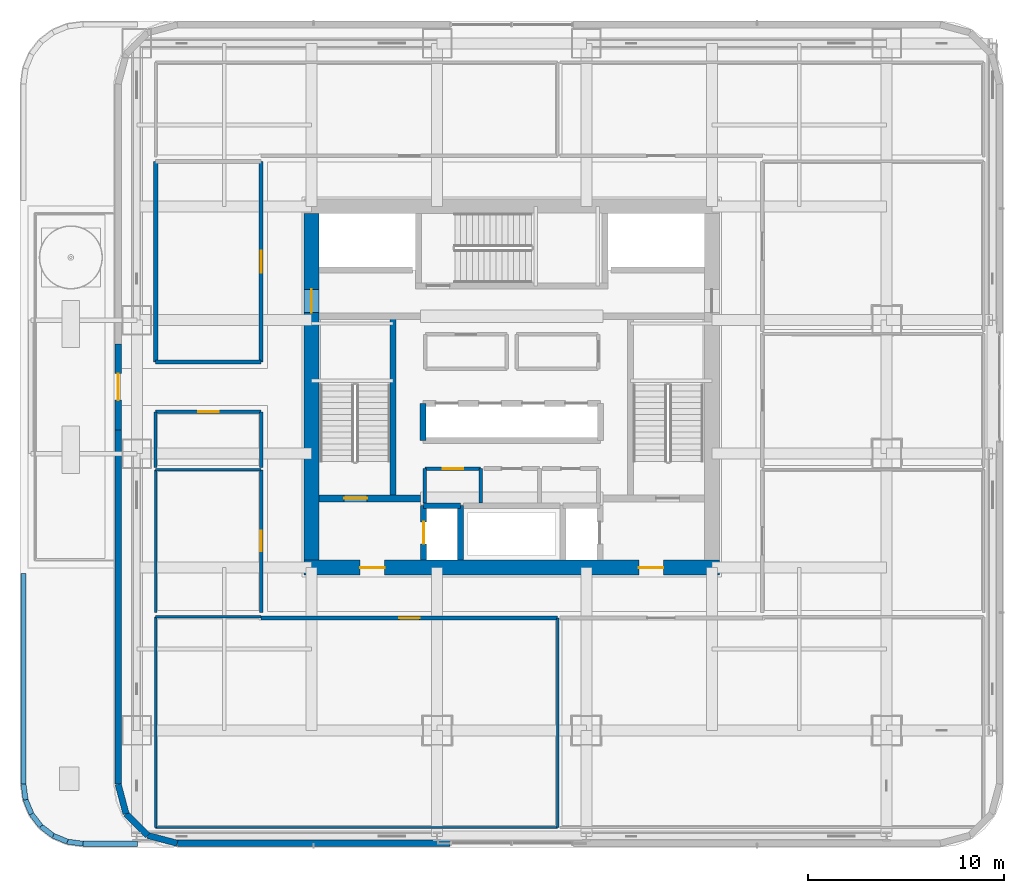
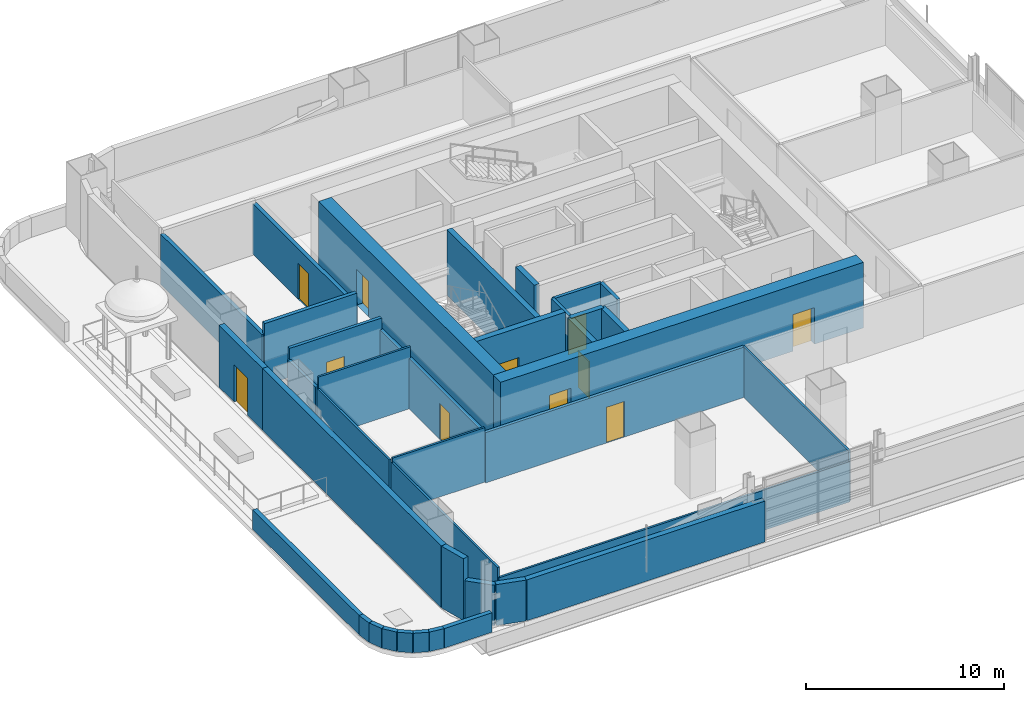
# One storey, part 11 of 27: 39 walls, 11 doors, 11 openings.
"""IFC4 building model written with IfcOpenShell, lengths in metres."""

from ifc_helpers import new_model, si_unit, direction, frame, frame_2d, origin, place, context, subcontext, project, spatial, rectangle, extrude, material, layer, layer_set, type_object, element, fill, save


model = new_model("IFC4")

# Units and contexts
model_context = context("Model", 3, precision=1e-05, world=origin(), true_north=direction((0.0, 1.0)))
body_context = subcontext(model_context, "Body", "Model", "MODEL_VIEW")
ifc_project = project(units=[si_unit("LENGTHUNIT", "METRE"), si_unit("AREAUNIT", "SQUARE_METRE"), si_unit("VOLUMEUNIT", "CUBIC_METRE"), si_unit("PLANEANGLEUNIT", "RADIAN"), si_unit("MASSUNIT", "GRAM", prefix="KILO")], contexts=[model_context])

# Site, building, storey
site_placement = place(None, origin())
site = spatial("IfcSite", under=ifc_project, at=site_placement, CompositionType="ELEMENT")
building_placement = place(site_placement, origin())
building = spatial("IfcBuilding", under=site, at=building_placement, Name="Punatoya Terracotta Tower", CompositionType="ELEMENT")
storey_placement = place(building_placement, frame((0.0, 0.0, 60.60009765625)))
storey = spatial("IfcBuildingStorey", under=building, at=storey_placement, Name="L13", CompositionType="ELEMENT", Elevation=60.60009765625)

# Wall, openings, doors
ifc_material_1 = material(Name="Concrete C60/75", Category="concrete")
ifc_layer_1 = layer(ifc_material_1, 0.75)
ifc_layer_set_1 = layer_set([ifc_layer_1], Name="Concrete C60/75")
wall_type_1 = type_object("IfcWallType", Name="WL-COR-750", PredefinedType="SHEAR", material=ifc_layer_set_1)
wall_1_placement = place(storey_placement, frame((10.574951171875, -9.199951171875, 0.0), z_axis=(0.0, 0.0, 1.0), x_axis=(-1.0, 0.0, 0.0)))
wall_1 = element("IfcWall", 1, at=wall_1_placement, inside=storey, type_object=wall_type_1, Name="L13 Core Shear Wall S", PredefinedType="SHEAR", context=body_context, shape_type="SweptSolid", body=[
    extrude(rectangle(XDim=21.14990234375, YDim=0.75, at=frame_2d((10.574951171875, 0.0))), origin(), (0.0, 0.0, 1.0), 4.0498046875),
])
opening_1_placement = place(wall_1_placement, frame((2.85009765625, 0.0, 0.0)))
opening_1 = element("IfcOpeningElement", 2, at=opening_1_placement, cuts=wall_1, Name="Opening FD-L1", PredefinedType="OPENING", context=body_context, shape_type="SweptSolid", body=[
    extrude(rectangle(XDim=1.25, YDim=2.25, at=frame_2d((0.625, 1.125))), frame((0.0, 0.385009765625, 0.0), z_axis=(0.0, -1.0, 0.0), x_axis=(1.0, 0.0, 0.0)), (0.0, 0.0, 1.0), 0.77001953125),
])
opening_2_placement = place(wall_1_placement, frame((17.050048828125, 0.0, 0.0)))
opening_2 = element("IfcOpeningElement", 3, at=opening_2_placement, cuts=wall_1, Name="Opening FD-L1", PredefinedType="OPENING", context=body_context, shape_type="SweptSolid", body=[
    extrude(rectangle(XDim=1.25, YDim=2.25, at=frame_2d((0.625, 1.125))), frame((0.0, 0.385009765625, 0.0), z_axis=(0.0, -1.0, 0.0), x_axis=(1.0, 0.0, 0.0)), (0.0, 0.0, 1.0), 0.77001953125),
])
ifc_material_2 = material(Name="Galvanised Steel Smokeproof Fire Door", Category="steel")
door_type_1 = type_object("IfcDoorType", Name="DR-FFL-1250", OperationType="NOTDEFINED", PredefinedType="DOOR", material=ifc_material_2)
door_1_placement = place(opening_1_placement, origin())
door_1 = element("IfcDoor", 4, at=door_1_placement, inside=storey, type_object=door_type_1, Name="L13 East Firefighting Lobby Corridor Fire Door", OperationType="SINGLE_SWING_LEFT", OverallHeight=2.25, OverallWidth=1.25, PredefinedType="DOOR", context=body_context, shape_type="SweptSolid", body=[
    extrude(rectangle(XDim=1.25, YDim=2.25, at=frame_2d((0.625, 1.125))), frame((0.0, 0.02490234375, 0.0), z_axis=(0.0, -1.0, 0.0), x_axis=(1.0, 0.0, 0.0)), (0.0, 0.0, 1.0), 0.050048828125),
])
fill(opening_1, door_1)
door_2_placement = place(opening_2_placement, origin())
door_2 = element("IfcDoor", 5, at=door_2_placement, inside=storey, type_object=door_type_1, Name="L13 West Firefighting Lobby Corridor Fire Door", OperationType="SINGLE_SWING_RIGHT", OverallHeight=2.25, OverallWidth=1.25, PredefinedType="DOOR", context=body_context, shape_type="SweptSolid", body=[
    extrude(rectangle(XDim=1.25, YDim=2.25, at=frame_2d((0.625, 1.125))), frame((0.0, 0.02490234375, 0.0), z_axis=(0.0, -1.0, 0.0), x_axis=(1.0, 0.0, 0.0)), (0.0, 0.0, 1.0), 0.050048828125),
])
fill(opening_2, door_2)

# Wall, opening, door
wall_2_placement = place(storey_placement, frame((-10.199951171875, -8.824951171875, 0.0), z_axis=(0.0, 0.0, 1.0), x_axis=(0.0, 1.0, 0.0)))
wall_2 = element("IfcWall", 6, at=wall_2_placement, inside=storey, type_object=wall_type_1, Name="L13 Core Shear Wall W", PredefinedType="SHEAR", context=body_context, shape_type="SweptSolid", body=[
    extrude(rectangle(XDim=17.64990234375, YDim=0.75, at=frame_2d((8.824951171875, 0.0))), origin(), (0.0, 0.0, 1.0), 4.0498046875),
])
opening_3_placement = place(wall_2_placement, frame((12.614990234375, 0.0, 0.0)))
opening_3 = element("IfcOpeningElement", 7, at=opening_3_placement, cuts=wall_2, Name="Opening SD-01", PredefinedType="OPENING", context=body_context, shape_type="SweptSolid", body=[
    extrude(rectangle(XDim=1.179931640625, YDim=2.199951171875, at=frame_2d((0.58984375, 1.10009765625))), frame((0.0, 0.385009765625, 0.0), z_axis=(0.0, -1.0, 0.0), x_axis=(1.0, 0.0, 0.0)), (0.0, 0.0, 1.0), 0.77001953125),
])
ifc_material_3 = material(Name="Galvanised Steel Pressurized Stair Fire Door", Category="steel")
door_type_2 = type_object("IfcDoorType", Name="DR-STR-1180", OperationType="NOTDEFINED", PredefinedType="DOOR", material=ifc_material_3)
door_3_placement = place(opening_3_placement, origin())
door_3 = element("IfcDoor", 8, at=door_3_placement, inside=storey, type_object=door_type_2, Name="L13 Central Lift Lobby West Fire Door", OperationType="SINGLE_SWING_LEFT", OverallHeight=2.199951171875, OverallWidth=1.179931640625, PredefinedType="DOOR", context=body_context, shape_type="SweptSolid", body=[
    extrude(rectangle(XDim=1.179931640625, YDim=2.199951171875, at=frame_2d((0.58984375, 1.10009765625))), frame((0.0, 0.02490234375, 0.0), z_axis=(0.0, -1.0, 0.0), x_axis=(1.0, 0.0, 0.0)), (0.0, 0.0, 1.0), 0.050048828125),
])
fill(opening_3, door_3)

# Wall
ifc_material_4 = material(Name="Gypsum Fireboard + Steel Stud", Category="steel")
ifc_layer_2 = layer(ifc_material_4, 0.179931640625)
ifc_layer_set_2 = layer_set([ifc_layer_2], Name="Gypsum Fireboard + Steel Stud")
wall_type_2 = type_object("IfcWallType", Name="WL-CORR-180", PredefinedType="PARTITIONING", material=ifc_layer_set_2)
wall_3_placement = place(storey_placement, frame((-1.580078125, -5.89990234375, 0.0), z_axis=(0.0, 0.0, 1.0), x_axis=(0.0, 1.0, 0.0)))
element("IfcWall", 9, at=wall_3_placement, inside=storey, type_object=wall_type_2, Name="L13 Core Quiet Wellness Room Partition 01", PredefinedType="PARTITIONING", context=body_context, shape_type="SweptSolid", body=[
    extrude(rectangle(XDim=1.739990234375, YDim=0.179931640625, at=frame_2d((0.8701171875, 0.0))), origin(), (0.0, 0.0, 1.0), 3.809814453125),
])

# Wall, opening, door
wall_4_placement = place(storey_placement, frame((-1.580078125, -4.159912109375, 0.0), z_axis=(0.0, 0.0, 1.0), x_axis=(-1.0, 0.0, 0.0)))
wall_4 = element("IfcWall", 10, at=wall_4_placement, inside=storey, type_object=wall_type_2, Name="L13 Core Quiet Wellness Room Partition 02", PredefinedType="PARTITIONING", context=body_context, shape_type="SweptSolid", body=[
    extrude(rectangle(XDim=2.83984375, YDim=0.179931640625, at=frame_2d((1.419921875, 0.0))), origin(), (0.0, 0.0, 1.0), 3.809814453125),
])
opening_4_placement = place(wall_4_placement, frame((0.89501953125, 0.0, 0.0)))
opening_4 = element("IfcOpeningElement", 11, at=opening_4_placement, cuts=wall_4, Name="Opening OD-01", PredefinedType="OPENING", context=body_context, shape_type="SweptSolid", body=[
    extrude(rectangle(XDim=1.050048828125, YDim=2.199951171875, at=frame_2d((0.52490234375, 1.10009765625))), frame((0.0, 0.099853515625, 0.0), z_axis=(0.0, -1.0, 0.0), x_axis=(1.0, 0.0, 0.0)), (0.0, 0.0, 1.0), 0.199951171875),
])
ifc_material_5 = material(Name="Bengal Teak Solid-Core Leaf")
door_type_3 = type_object("IfcDoorType", Name="DR-OFF-1050", OperationType="NOTDEFINED", PredefinedType="DOOR", material=ifc_material_5)
door_4_placement = place(opening_4_placement, origin())
door_4 = element("IfcDoor", 12, at=door_4_placement, inside=storey, type_object=door_type_3, Name="L13 Quiet Wellness Room Door", OperationType="SINGLE_SWING_RIGHT", OverallHeight=2.199951171875, OverallWidth=1.050048828125, PredefinedType="DOOR", context=body_context, shape_type="SweptSolid", body=[
    extrude(rectangle(XDim=1.050048828125, YDim=2.199951171875, at=frame_2d((0.52490234375, 1.10009765625))), frame((0.0, 0.02490234375, 0.0), z_axis=(0.0, -1.0, 0.0), x_axis=(1.0, 0.0, 0.0)), (0.0, 0.0, 1.0), 0.050048828125),
])
fill(opening_4, door_4)

# Wall
wall_5_placement = place(storey_placement, frame((-4.419921875, -4.159912109375, 0.0), z_axis=(0.0, 0.0, 1.0), x_axis=(0.0, -1.0, 0.0)))
element("IfcWall", 13, at=wall_5_placement, inside=storey, type_object=wall_type_2, Name="L13 Core Quiet Wellness Room Partition 03", PredefinedType="PARTITIONING", context=body_context, shape_type="SweptSolid", body=[
    extrude(rectangle(XDim=1.739990234375, YDim=0.179931640625, at=frame_2d((0.8701171875, 0.0))), origin(), (0.0, 0.0, 1.0), 3.809814453125),
])

# Wall, opening, door
wall_6_placement = place(storey_placement, frame((-12.77001953125, -11.77001953125, 0.0), z_axis=(0.0, 0.0, 1.0), x_axis=(1.0, 0.0, 0.0)))
wall_6 = element("IfcWall", 14, at=wall_6_placement, inside=storey, type_object=wall_type_2, Name="L13 Client Media Salon Partition 18", PredefinedType="PARTITIONING", context=body_context, shape_type="SweptSolid", body=[
    extrude(rectangle(XDim=15.110107421875, YDim=0.179931640625, at=frame_2d((7.55517578125, 0.0))), origin(), (0.0, 0.0, 1.0), 3.10400390625),
])
opening_5_placement = place(wall_6_placement, frame((7.030029296875, 0.0, 0.0)))
opening_5 = element("IfcOpeningElement", 15, at=opening_5_placement, cuts=wall_6, Name="Opening OD-01", PredefinedType="OPENING", context=body_context, shape_type="SweptSolid", body=[
    extrude(rectangle(XDim=1.050048828125, YDim=2.199951171875, at=frame_2d((0.52490234375, 1.10009765625))), frame((0.0, 0.099853515625, 0.0), z_axis=(0.0, -1.0, 0.0), x_axis=(1.0, 0.0, 0.0)), (0.0, 0.0, 1.0), 0.199951171875),
])
door_5_placement = place(opening_5_placement, origin())
door_5 = element("IfcDoor", 16, at=door_5_placement, inside=storey, type_object=door_type_3, Name="L13 Client Media Salon Door", OperationType="SINGLE_SWING_LEFT", OverallHeight=2.199951171875, OverallWidth=1.050048828125, PredefinedType="DOOR", context=body_context, shape_type="SweptSolid", body=[
    extrude(rectangle(XDim=1.050048828125, YDim=2.199951171875, at=frame_2d((0.52490234375, 1.10009765625))), frame((0.0, 0.02490234375, 0.0), z_axis=(0.0, -1.0, 0.0), x_axis=(1.0, 0.0, 0.0)), (0.0, 0.0, 1.0), 0.050048828125),
])
fill(opening_5, door_5)

wall_7_placement = place(storey_placement, frame((-12.77001953125, -4.218017578125, 0.0), z_axis=(0.0, 0.0, 1.0), x_axis=(0.0, -1.0, 0.0)))
wall_7 = element("IfcWall", 17, at=wall_7_placement, inside=storey, type_object=wall_type_2, Name="L13 Graphic Design Workplace Partition 26", PredefinedType="PARTITIONING", context=body_context, shape_type="SweptSolid", body=[
    extrude(rectangle(XDim=7.27197265625, YDim=0.179931640625, at=frame_2d((3.635986328125, 0.0))), origin(), (0.0, 0.0, 1.0), 3.10400390625),
])
opening_6_placement = place(wall_7_placement, frame((3.111083984375, 0.0, 0.0)))
opening_6 = element("IfcOpeningElement", 18, at=opening_6_placement, cuts=wall_7, Name="Opening OD-01", PredefinedType="OPENING", context=body_context, shape_type="SweptSolid", body=[
    extrude(rectangle(XDim=1.050048828125, YDim=2.199951171875, at=frame_2d((0.52490234375, 1.10009765625))), frame((0.0, 0.099853515625, 0.0), z_axis=(0.0, -1.0, 0.0), x_axis=(1.0, 0.0, 0.0)), (0.0, 0.0, 1.0), 0.199951171875),
])
door_6_placement = place(opening_6_placement, origin())
door_6 = element("IfcDoor", 19, at=door_6_placement, inside=storey, type_object=door_type_3, Name="L13 Graphic Design Workplace Door", OperationType="SINGLE_SWING_LEFT", OverallHeight=2.199951171875, OverallWidth=1.050048828125, PredefinedType="DOOR", context=body_context, shape_type="SweptSolid", body=[
    extrude(rectangle(XDim=1.050048828125, YDim=2.199951171875, at=frame_2d((0.52490234375, 1.10009765625))), frame((0.0, 0.02490234375, 0.0), z_axis=(0.0, -1.0, 0.0), x_axis=(1.0, 0.0, 0.0)), (0.0, 0.0, 1.0), 0.050048828125),
])
fill(opening_6, door_6)

wall_8_placement = place(storey_placement, frame((-18.139892578125, -1.27001953125, 0.0), z_axis=(0.0, 0.0, 1.0), x_axis=(1.0, 0.0, 0.0)))
wall_8 = element("IfcWall", 20, at=wall_8_placement, inside=storey, type_object=wall_type_2, Name="L13 Hospitality Tea Pantry Partition 31", PredefinedType="PARTITIONING", context=body_context, shape_type="SweptSolid", body=[
    extrude(rectangle(XDim=5.369873046875, YDim=0.179931640625, at=frame_2d((2.68505859375, 0.0))), origin(), (0.0, 0.0, 1.0), 3.809814453125),
])
opening_7_placement = place(wall_8_placement, frame((2.159912109375, 0.0, 0.0)))
opening_7 = element("IfcOpeningElement", 21, at=opening_7_placement, cuts=wall_8, Name="Opening OD-01", PredefinedType="OPENING", context=body_context, shape_type="SweptSolid", body=[
    extrude(rectangle(XDim=1.050048828125, YDim=2.199951171875, at=frame_2d((0.52490234375, 1.10009765625))), frame((0.0, 0.099853515625, 0.0), z_axis=(0.0, -1.0, 0.0), x_axis=(1.0, 0.0, 0.0)), (0.0, 0.0, 1.0), 0.199951171875),
])
door_7_placement = place(opening_7_placement, origin())
door_7 = element("IfcDoor", 22, at=door_7_placement, inside=storey, type_object=door_type_3, Name="L13 Hospitality Tea Pantry Door", OperationType="SINGLE_SWING_LEFT", OverallHeight=2.199951171875, OverallWidth=1.050048828125, PredefinedType="DOOR", context=body_context, shape_type="SweptSolid", body=[
    extrude(rectangle(XDim=1.050048828125, YDim=2.199951171875, at=frame_2d((0.52490234375, 1.10009765625))), frame((0.0, 0.02490234375, 0.0), z_axis=(0.0, -1.0, 0.0), x_axis=(1.0, 0.0, 0.0)), (0.0, 0.0, 1.0), 0.050048828125),
])
fill(opening_7, door_7)

# Walls
wall_9_placement = place(storey_placement, frame((-12.77001953125, -1.27001953125, 0.0), z_axis=(0.0, 0.0, 1.0), x_axis=(0.0, -1.0, 0.0)))
element("IfcWall", 23, at=wall_9_placement, inside=storey, type_object=wall_type_2, Name="L13 Hospitality Tea Pantry Partition 32", PredefinedType="PARTITIONING", context=body_context, shape_type="SweptSolid", body=[
    extrude(rectangle(XDim=2.827880859375, YDim=0.179931640625, at=frame_2d((1.4140625, 0.0))), origin(), (0.0, 0.0, 1.0), 3.10400390625),
])
ifc_material_6 = material(Name="Precast concrete C40/50", Category="concrete")
ifc_layer_3 = layer(ifc_material_6, 0.320068359375)
ifc_layer_set_3 = layer_set([ifc_layer_3], Name="Precast concrete C40/50")
wall_type_3 = type_object("IfcWallType", Name="WL-EXT-320", PredefinedType="SOLIDWALL", material=ifc_layer_set_3)
wall_10_placement = place(storey_placement, frame((-17.036865234375, -23.25, 0.0), z_axis=(0.0, 0.0, 1.0), x_axis=(1.0, 0.0, 0.0)))
element("IfcWall", 24, at=wall_10_placement, inside=storey, type_object=wall_type_3, Name="L13 Terracotta Braced Facade Wall S1", PredefinedType="SOLIDWALL", context=body_context, shape_type="SweptSolid", body=[
    extrude(rectangle(XDim=13.886962890625, YDim=0.320068359375, at=frame_2d((6.943359375, 0.0))), origin(), (0.0, 0.0, 1.0), 2.52392578125),
])
wall_11_placement = place(storey_placement, frame((-20.050048828125, -2.199951171875, 0.0), z_axis=(0.0, 0.0, 1.0), x_axis=(0.0, -1.0, 0.0)))
element("IfcWall", 25, at=wall_11_placement, inside=storey, type_object=wall_type_3, Name="L13 Terracotta Braced Facade Wall W", PredefinedType="SOLIDWALL", context=body_context, shape_type="SweptSolid", body=[
    extrude(rectangle(XDim=18.036865234375, YDim=0.320068359375, at=frame_2d((9.0185546875, 0.0))), origin(), (0.0, 0.0, 1.0), 3.809814453125),
])

# Wall, opening, door
wall_12_placement = place(storey_placement, frame((-20.050048828125, 2.199951171875, 0.0), z_axis=(0.0, 0.0, 1.0), x_axis=(0.0, -1.0, 0.0)))
wall_12 = element("IfcWall", 26, at=wall_12_placement, inside=storey, type_object=wall_type_3, Name="L13 Sky-Terrace Portal Wall W", PredefinedType="SOLIDWALL", context=body_context, shape_type="SweptSolid", body=[
    extrude(rectangle(XDim=4.39990234375, YDim=0.320068359375, at=frame_2d((2.199951171875, 0.0))), origin(), (0.0, 0.0, 1.0), 3.809814453125),
])
opening_8_placement = place(wall_12_placement, frame((1.52490234375, 0.0, 0.0)))
opening_8 = element("IfcOpeningElement", 27, at=opening_8_placement, cuts=wall_12, Name="Opening TD-02", PredefinedType="OPENING", context=body_context, shape_type="SweptSolid", body=[
    extrude(rectangle(XDim=1.35009765625, YDim=2.300048828125, at=frame_2d((0.675048828125, 1.14990234375))), frame((0.0, 0.169921875, 0.0), z_axis=(0.0, -1.0, 0.0), x_axis=(1.0, 0.0, 0.0)), (0.0, 0.0, 1.0), 0.340087890625),
])
ifc_material_7 = material(Name="Aluminium 6063-T6 + Low-E Glass", Category="aluminium")
door_type_4 = type_object("IfcDoorType", Name="DR-TER-1350", OperationType="NOTDEFINED", PredefinedType="DOOR", material=ifc_material_7)
door_8_placement = place(opening_8_placement, origin())
door_8 = element("IfcDoor", 28, at=door_8_placement, inside=storey, type_object=door_type_4, Name="L13 Sky-Terrace Access Door W1", OperationType="SINGLE_SWING_RIGHT", OverallHeight=2.300048828125, OverallWidth=1.35009765625, PredefinedType="DOOR", context=body_context, shape_type="SweptSolid", body=[
    extrude(rectangle(XDim=1.35009765625, YDim=2.300048828125, at=frame_2d((0.675048828125, 1.14990234375))), frame((0.0, 0.02490234375, 0.0), z_axis=(0.0, -1.0, 0.0), x_axis=(1.0, 0.0, 0.0)), (0.0, 0.0, 1.0), 0.050048828125),
])
fill(opening_8, door_8)

# Walls
wall_13_placement = place(storey_placement, frame((-20.050048828125, -20.23681640625, 0.0), z_axis=(0.0, 0.0, 1.0), x_axis=(0.257847112249, -0.966185730957, 0.0)))
element("IfcWall", 29, at=wall_13_placement, inside=storey, type_object=wall_type_3, Name="L13 Rounded Terracotta Corner Pier 14", PredefinedType="SOLIDWALL", context=body_context, shape_type="SweptSolid", body=[
    extrude(rectangle(XDim=1.565185546875, YDim=0.320068359375, at=frame_2d((0.78271484375, 0.0))), origin(), (0.0, 0.0, 1.0), 3.809814453125),
])
wall_14_placement = place(storey_placement, frame((-19.646484375, -21.7490234375, 0.0), z_axis=(0.0, 0.0, 1.0), x_axis=(0.707028130747, -0.707185422879, 0.0)))
element("IfcWall", 30, at=wall_14_placement, inside=storey, type_object=wall_type_3, Name="L13 Rounded Terracotta Corner Pier 15", PredefinedType="SOLIDWALL", context=body_context, shape_type="SweptSolid", body=[
    extrude(rectangle(XDim=1.55224609375, YDim=0.320068359375, at=frame_2d((0.776123046875, 0.0))), origin(), (0.0, 0.0, 1.0), 2.48388671875),
])
wall_15_placement = place(storey_placement, frame((-18.549072265625, -22.8466796875, 0.0), z_axis=(0.0, 0.0, 1.0), x_axis=(0.966224582397, -0.257701486942, 0.0)))
element("IfcWall", 31, at=wall_15_placement, inside=storey, type_object=wall_type_3, Name="L13 Rounded Terracotta Corner Pier 16", PredefinedType="SOLIDWALL", context=body_context, shape_type="SweptSolid", body=[
    extrude(rectangle(XDim=1.565185546875, YDim=0.320068359375, at=frame_2d((0.78271484375, 0.0))), origin(), (0.0, 0.0, 1.0), 2.52392578125),
])
ifc_material_8 = material(Name="Concrete C40/50", Category="concrete")
ifc_layer_4 = layer(ifc_material_8, 0.219970703125)
ifc_layer_set_4 = layer_set([ifc_layer_4], Name="Concrete C40/50")
wall_type_4 = type_object("IfcWallType", Name="WL-FIR-220", PredefinedType="SOLIDWALL", material=ifc_layer_set_4)
wall_16_placement = place(storey_placement, frame((-18.139892578125, 1.27001953125, 0.0), z_axis=(0.0, 0.0, 1.0), x_axis=(0.0, 1.0, 0.0)))
element("IfcWall", 32, at=wall_16_placement, inside=storey, type_object=wall_type_4, Name="L13 Model-Making Archive Partition 37", PredefinedType="SOLIDWALL", context=body_context, shape_type="SweptSolid", body=[
    extrude(rectangle(XDim=10.219970703125, YDim=0.219970703125, at=frame_2d((5.10986328125, 0.0))), origin(), (0.0, 0.0, 1.0), 3.10400390625),
])

# Wall, opening, door
wall_17_placement = place(storey_placement, frame((-12.77001953125, 11.489990234375, 0.0), z_axis=(0.0, 0.0, 1.0), x_axis=(0.0, -1.0, 0.0)))
wall_17 = element("IfcWall", 33, at=wall_17_placement, inside=storey, type_object=wall_type_4, Name="L13 Model-Making Archive Partition 39", PredefinedType="SOLIDWALL", context=body_context, shape_type="SweptSolid", body=[
    extrude(rectangle(XDim=10.219970703125, YDim=0.219970703125, at=frame_2d((5.10986328125, 0.0))), origin(), (0.0, 0.0, 1.0), 3.10400390625),
])
opening_9_placement = place(wall_17_placement, frame((4.56005859375, 0.0, 0.0)))
opening_9 = element("IfcOpeningElement", 34, at=opening_9_placement, cuts=wall_17, Name="Opening FD-P1", PredefinedType="OPENING", context=body_context, shape_type="SweptSolid", body=[
    extrude(rectangle(XDim=1.10009765625, YDim=2.199951171875, at=frame_2d((0.550048828125, 1.10009765625))), frame((0.0, 0.119873046875, 0.0), z_axis=(0.0, -1.0, 0.0), x_axis=(1.0, 0.0, 0.0)), (0.0, 0.0, 1.0), 0.239990234375),
])
ifc_material_9 = material(Name="Galvanised Steel Plant Fire Door", Category="steel")
door_type_5 = type_object("IfcDoorType", Name="DR-PLT-1100", OperationType="NOTDEFINED", PredefinedType="DOOR", material=ifc_material_9)
door_9_placement = place(opening_9_placement, origin())
door_9 = element("IfcDoor", 35, at=door_9_placement, inside=storey, type_object=door_type_5, Name="L13 Model-Making Archive Fire Door", OperationType="SINGLE_SWING_LEFT", OverallHeight=2.199951171875, OverallWidth=1.10009765625, PredefinedType="DOOR", context=body_context, shape_type="SweptSolid", body=[
    extrude(rectangle(XDim=1.10009765625, YDim=2.199951171875, at=frame_2d((0.550048828125, 1.10009765625))), frame((0.0, 0.02490234375, 0.0), z_axis=(0.0, -1.0, 0.0), x_axis=(1.0, 0.0, 0.0)), (0.0, 0.0, 1.0), 0.050048828125),
])
fill(opening_9, door_9)

# Walls
wall_18_placement = place(storey_placement, frame((-12.77001953125, 1.27001953125, 0.0), z_axis=(0.0, 0.0, 1.0), x_axis=(-1.0, 0.0, 0.0)))
element("IfcWall", 36, at=wall_18_placement, inside=storey, type_object=wall_type_4, Name="L13 Model-Making Archive Partition 40", PredefinedType="SOLIDWALL", context=body_context, shape_type="SweptSolid", body=[
    extrude(rectangle(XDim=5.369873046875, YDim=0.219970703125, at=frame_2d((2.68505859375, 0.0))), origin(), (0.0, 0.0, 1.0), 3.809814453125),
])
ifc_material_10 = material(Name="Gypsum Partition + Steel Stud", Category="steel")
ifc_layer_5 = layer(ifc_material_10, 0.1201171875)
ifc_layer_set_5 = layer_set([ifc_layer_5], Name="Gypsum Partition + Steel Stud")
wall_type_5 = type_object("IfcWallType", Name="WL-OFF-120", PredefinedType="PARTITIONING", material=ifc_layer_set_5)
wall_19_placement = place(storey_placement, frame((-18.139892578125, -22.43994140625, 0.0), z_axis=(0.0, 0.0, 1.0), x_axis=(0.0, 1.0, 0.0)))
element("IfcWall", 37, at=wall_19_placement, inside=storey, type_object=wall_type_5, Name="L13 Client Media Salon Partition 16", PredefinedType="PARTITIONING", context=body_context, shape_type="SweptSolid", body=[
    extrude(rectangle(XDim=10.72998046875, YDim=0.1201171875, at=frame_2d((5.364990234375, 0.0))), origin(), (0.0, 0.0, 1.0), 3.10400390625),
])
wall_20_placement = place(storey_placement, frame((-18.139892578125, -11.7099609375, 0.0), z_axis=(0.0, 0.0, 1.0), x_axis=(1.0, 0.0, 0.0)))
element("IfcWall", 38, at=wall_20_placement, inside=storey, type_object=wall_type_5, Name="L13 Client Media Salon Partition 17", PredefinedType="PARTITIONING", context=body_context, shape_type="SweptSolid", body=[
    extrude(rectangle(XDim=5.369873046875, YDim=0.1201171875, at=frame_2d((2.68505859375, 0.0))), origin(), (0.0, 0.0, 1.0), 3.35400390625),
])
wall_21_placement = place(storey_placement, frame((2.340087890625, -11.77001953125, 0.0), z_axis=(0.0, 0.0, 1.0), x_axis=(0.0, -1.0, 0.0)))
element("IfcWall", 39, at=wall_21_placement, inside=storey, type_object=wall_type_5, Name="L13 Client Media Salon Partition 19", PredefinedType="PARTITIONING", context=body_context, shape_type="SweptSolid", body=[
    extrude(rectangle(XDim=10.669921875, YDim=0.1201171875, at=frame_2d((5.3349609375, 0.0))), origin(), (0.0, 0.0, 1.0), 3.10400390625),
])
wall_22_placement = place(storey_placement, frame((2.340087890625, -22.43994140625, 0.0), z_axis=(0.0, 0.0, 1.0), x_axis=(-1.0, 0.0, 0.0)))
element("IfcWall", 40, at=wall_22_placement, inside=storey, type_object=wall_type_5, Name="L13 Client Media Salon Partition 20", PredefinedType="PARTITIONING", context=body_context, shape_type="SweptSolid", body=[
    extrude(rectangle(XDim=20.47998046875, YDim=0.1201171875, at=frame_2d((10.239990234375, 0.0))), origin(), (0.0, 0.0, 1.0), 2.48388671875),
])
wall_23_placement = place(storey_placement, frame((-18.139892578125, -4.218017578125, 0.0), z_axis=(0.0, 0.0, 1.0), x_axis=(1.0, 0.0, 0.0)))
element("IfcWall", 41, at=wall_23_placement, inside=storey, type_object=wall_type_5, Name="L13 Graphic Design Workplace Partition 25", PredefinedType="PARTITIONING", context=body_context, shape_type="SweptSolid", body=[
    extrude(rectangle(XDim=5.369873046875, YDim=0.1201171875, at=frame_2d((2.68505859375, 0.0))), origin(), (0.0, 0.0, 1.0), 3.809814453125),
])
wall_24_placement = place(storey_placement, frame((-18.139892578125, -11.489990234375, 0.0), z_axis=(0.0, 0.0, 1.0), x_axis=(0.0, 1.0, 0.0)))
element("IfcWall", 42, at=wall_24_placement, inside=storey, type_object=wall_type_5, Name="L13 Graphic Design Workplace Partition 27", PredefinedType="PARTITIONING", context=body_context, shape_type="SweptSolid", body=[
    extrude(rectangle(XDim=7.27197265625, YDim=0.1201171875, at=frame_2d((3.635986328125, 0.0))), origin(), (0.0, 0.0, 1.0), 3.10400390625),
])
ifc_layer_6 = layer(ifc_material_6, 0.260009765625)
ifc_layer_set_6 = layer_set([ifc_layer_6], Name="Precast concrete C40/50")
wall_type_6 = type_object("IfcWallType", Name="WL-PAR-260", PredefinedType="PARAPET", material=ifc_layer_set_6)
wall_25_placement = place(storey_placement, frame((-24.8701171875, -9.5, 0.0), z_axis=(0.0, 0.0, 1.0), x_axis=(0.0, -1.0, 0.0)))
element("IfcWall", 43, at=wall_25_placement, inside=storey, type_object=wall_type_6, Name="L13 Roof Parapet Wall PAR-L13-RF-09", PredefinedType="PARAPET", context=body_context, shape_type="SweptSolid", body=[
    extrude(rectangle(XDim=10.73828125, YDim=0.260009765625, at=frame_2d((5.369140625, 0.0))), origin(), (0.0, 0.0, 1.0), 1.199951171875),
])
wall_26_placement = place(storey_placement, frame((-24.8701171875, -20.23828125, 0.0), z_axis=(0.0, 0.0, 1.0), x_axis=(0.130644014367, -0.991429342672, 0.0)))
element("IfcWall", 44, at=wall_26_placement, inside=storey, type_object=wall_type_6, Name="L13 Roof Parapet Wall PAR-L13-RF-10", PredefinedType="PARAPET", context=body_context, shape_type="SweptSolid", body=[
    extrude(rectangle(XDim=0.7998046875, YDim=0.260009765625, at=frame_2d((0.39990234375, 0.0))), origin(), (0.0, 0.0, 1.0), 1.199951171875),
])
wall_27_placement = place(storey_placement, frame((-24.765625, -21.03125, 0.0), z_axis=(0.0, 0.0, 1.0), x_axis=(0.38263454961, -0.923899778896, 0.0)))
element("IfcWall", 45, at=wall_27_placement, inside=storey, type_object=wall_type_6, Name="L13 Roof Parapet Wall PAR-L13-RF-11", PredefinedType="PARAPET", context=body_context, shape_type="SweptSolid", body=[
    extrude(rectangle(XDim=0.7880859375, YDim=0.260009765625, at=frame_2d((0.39404296875, 0.0))), origin(), (0.0, 0.0, 1.0), 1.199951171875),
])
wall_28_placement = place(storey_placement, frame((-24.464111328125, -21.75927734375, 0.0), z_axis=(0.0, 0.0, 1.0), x_axis=(0.608886809997, -0.793257116332, 0.0)))
element("IfcWall", 46, at=wall_28_placement, inside=storey, type_object=wall_type_6, Name="L13 Roof Parapet Wall PAR-L13-RF-12", PredefinedType="PARAPET", context=body_context, shape_type="SweptSolid", body=[
    extrude(rectangle(XDim=0.787841796875, YDim=0.260009765625, at=frame_2d((0.39404296875, 0.0))), origin(), (0.0, 0.0, 1.0), 1.199951171875),
])
for number, where, z_axis, x_axis, name in (
    (47, (-23.984375, -22.38427734375, 0.0), (0.0, 0.0, 1.0), (0.793371954706, -0.608737169464, 0.0), "L13 Roof Parapet Wall PAR-L13-RF-13"),
    (48, (-23.359130859375, -22.864013671875, 0.0), (0.0, 0.0, 1.0), (0.923899778896, -0.38263454961, 0.0), "L13 Roof Parapet Wall PAR-L13-RF-14"),
):
    element("IfcWall", number, at=place(storey_placement, frame(where, z_axis=z_axis, x_axis=x_axis)), inside=storey, type_object=wall_type_6, Name=name, PredefinedType="PARAPET", context=body_context, shape_type="SweptSolid", body=[
        extrude(rectangle(XDim=0.7880859375, YDim=0.260009765625, at=frame_2d((0.39404296875, 0.0))), origin(), (0.0, 0.0, 1.0), 1.199951171875),
    ])
wall_29_placement = place(storey_placement, frame((-22.631103515625, -23.16552734375, 0.0), z_axis=(0.0, 0.0, 1.0), x_axis=(0.991429342672, -0.130644014367, 0.0)))
element("IfcWall", 49, at=wall_29_placement, inside=storey, type_object=wall_type_6, Name="L13 Roof Parapet Wall PAR-L13-RF-15", PredefinedType="PARAPET", context=body_context, shape_type="SweptSolid", body=[
    extrude(rectangle(XDim=0.7998046875, YDim=0.260009765625, at=frame_2d((0.39990234375, 0.0))), origin(), (0.0, 0.0, 1.0), 1.199951171875),
])
wall_30_placement = place(storey_placement, frame((-21.838134765625, -23.27001953125, 0.0), z_axis=(0.0, 0.0, 1.0), x_axis=(1.0, 0.0, 0.0)))
element("IfcWall", 50, at=wall_30_placement, inside=storey, type_object=wall_type_6, Name="L13 Roof Parapet Wall PAR-L13-RF-16", PredefinedType="PARAPET", context=body_context, shape_type="SweptSolid", body=[
    extrude(rectangle(XDim=2.77294921875, YDim=0.260009765625, at=frame_2d((1.386474609375, 0.0))), origin(), (0.0, 0.0, 1.0), 1.199951171875),
])
ifc_layer_7 = layer(ifc_material_8, 0.300048828125)
ifc_layer_set_7 = layer_set([ifc_layer_7], Name="Concrete C40/50")
wall_type_7 = type_object("IfcWallType", Name="WL-SHF-300", PredefinedType="SOLIDWALL", material=ifc_layer_set_7)
wall_31_placement = place(storey_placement, frame((-6.050048828125, -5.5, 0.0), z_axis=(0.0, 0.0, 1.0), x_axis=(0.0, 1.0, 0.0)))
element("IfcWall", 51, at=wall_31_placement, inside=storey, type_object=wall_type_7, Name="L13 Structural Stair Shaft Wall SW-ST1-E", PredefinedType="SOLIDWALL", context=body_context, shape_type="SweptSolid", body=[
    extrude(rectangle(XDim=8.949951171875, YDim=0.300048828125, at=frame_2d((4.47509765625, 0.0))), origin(), (0.0, 0.0, 1.0), 4.0498046875),
])

# Wall, opening, door
wall_32_placement = place(storey_placement, frame((-4.489990234375, -8.820068359375, 0.0), z_axis=(0.0, 0.0, 1.0), x_axis=(0.0, 1.0, 0.0)))
wall_32 = element("IfcWall", 52, at=wall_32_placement, inside=storey, type_object=wall_type_7, Name="L13 FFL-1 Front Hoistway Wall", PredefinedType="SOLIDWALL", context=body_context, shape_type="SweptSolid", body=[
    extrude(rectangle(XDim=2.77001953125, YDim=0.300048828125, at=frame_2d((1.385009765625, 0.0))), origin(), (0.0, 0.0, 1.0), 3.809814453125),
])
opening_10_placement = place(wall_32_placement, frame((0.824951171875, 0.0, 0.0)))
opening_10 = element("IfcOpeningElement", 53, at=opening_10_placement, cuts=wall_32, Name="Opening LD-02", PredefinedType="OPENING", context=body_context, shape_type="SweptSolid", body=[
    extrude(rectangle(XDim=1.1201171875, YDim=2.25, at=frame_2d((0.56005859375, 1.125))), frame((0.0, 0.159912109375, 0.0), z_axis=(0.0, -1.0, 0.0), x_axis=(1.0, 0.0, 0.0)), (0.0, 0.0, 1.0), 0.320068359375),
])
ifc_material_11 = material(Name="Stainless Steel Lift Landing Door", Category="steel")
door_type_6 = type_object("IfcDoorType", Name="DR-LND-1120", OperationType="NOTDEFINED", PredefinedType="DOOR", material=ifc_material_11)
door_10_placement = place(opening_10_placement, origin())
door_10 = element("IfcDoor", 54, at=door_10_placement, inside=storey, type_object=door_type_6, Name="L13 Firefighting Lift FFL-1 Sliding Landing Door", OperationType="SLIDING_TO_LEFT", OverallHeight=2.25, OverallWidth=1.1201171875, PredefinedType="DOOR", context=body_context, shape_type="SweptSolid", body=[
    extrude(rectangle(XDim=1.1201171875, YDim=2.25, at=frame_2d((0.56005859375, 1.125))), frame((0.0, 0.02490234375, 0.0), z_axis=(0.0, -1.0, 0.0), x_axis=(1.0, 0.0, 0.0)), (0.0, 0.0, 1.0), 0.050048828125),
])
fill(opening_10, door_10)

# Walls
wall_33_placement = place(storey_placement, frame((-2.610107421875, -8.820068359375, 0.0), z_axis=(0.0, 0.0, 1.0), x_axis=(0.0, 1.0, 0.0)))
element("IfcWall", 55, at=wall_33_placement, inside=storey, type_object=wall_type_7, Name="L13 FFL-1 Rear Hoistway Wall", PredefinedType="SOLIDWALL", context=body_context, shape_type="SweptSolid", body=[
    extrude(rectangle(XDim=2.77001953125, YDim=0.300048828125, at=frame_2d((1.385009765625, 0.0))), origin(), (0.0, 0.0, 1.0), 3.809814453125),
])
for number, where, z_axis, x_axis, name in (
    (56, (-4.489990234375, -6.050048828125, 0.0), (0.0, 0.0, 1.0), (1.0, 0.0, 0.0), "L13 FFL-1 North Hoistway Wall"),
    (57, (-4.52001953125, -2.719970703125, 0.0), (0.0, 0.0, 1.0), (0.0, 1.0, 0.0), "L13 South Lift Bank West End Wall"),
):
    element("IfcWall", number, at=place(storey_placement, frame(where, z_axis=z_axis, x_axis=x_axis)), inside=storey, type_object=wall_type_7, Name=name, PredefinedType="SOLIDWALL", context=body_context, shape_type="SweptSolid", body=[
        extrude(rectangle(XDim=1.8798828125, YDim=0.300048828125, at=frame_2d((0.93994140625, 0.0))), origin(), (0.0, 0.0, 1.0), 3.809814453125),
    ])

# Wall, opening, door
ifc_material_12 = material(Name="Concrete C50/60", Category="concrete")
ifc_layer_8 = layer(ifc_material_12, 0.35009765625)
ifc_layer_set_8 = layer_set([ifc_layer_8], Name="Concrete C50/60")
wall_type_8 = type_object("IfcWallType", Name="WL-SHF-350", PredefinedType="SOLIDWALL", material=ifc_layer_set_8)
wall_34_placement = place(storey_placement, frame((-9.824951171875, -5.679931640625, 0.0), z_axis=(0.0, 0.0, 1.0), x_axis=(1.0, 0.0, 0.0)))
wall_34 = element("IfcWall", 58, at=wall_34_placement, inside=storey, type_object=wall_type_8, Name="L13 Core Web Wall CSW-L", PredefinedType="SOLIDWALL", context=body_context, shape_type="SweptSolid", body=[
    extrude(rectangle(XDim=5.175048828125, YDim=0.35009765625, at=frame_2d((2.58740234375, 0.0))), origin(), (0.0, 0.0, 1.0), 4.0498046875),
])
opening_11_placement = place(wall_34_placement, frame((1.284912109375, 0.0, 0.0)))
opening_11 = element("IfcOpeningElement", 59, at=opening_11_placement, cuts=wall_34, Name="Opening SD-01", PredefinedType="OPENING", context=body_context, shape_type="SweptSolid", body=[
    extrude(rectangle(XDim=1.179931640625, YDim=2.199951171875, at=frame_2d((0.58984375, 1.10009765625))), frame((0.0, 0.18505859375, 0.0), z_axis=(0.0, -1.0, 0.0), x_axis=(1.0, 0.0, 0.0)), (0.0, 0.0, 1.0), 0.3701171875),
])
door_11_placement = place(opening_11_placement, origin())
door_11 = element("IfcDoor", 60, at=door_11_placement, inside=storey, type_object=door_type_2, Name="L13 Stair ST-1 Smokeproof Lobby Fire Door", OperationType="SINGLE_SWING_LEFT", OverallHeight=2.199951171875, OverallWidth=1.179931640625, PredefinedType="DOOR", context=body_context, shape_type="SweptSolid", body=[
    extrude(rectangle(XDim=1.179931640625, YDim=2.199951171875, at=frame_2d((0.58984375, 1.10009765625))), frame((0.0, 0.02490234375, 0.0), z_axis=(0.0, -1.0, 0.0), x_axis=(1.0, 0.0, 0.0)), (0.0, 0.0, 1.0), 0.050048828125),
])
fill(opening_11, door_11)

# Wall
ifc_material_13 = material(Name="Masonry Blockwork + Ceramic Tile", Category="masonry")
ifc_layer_9 = layer(ifc_material_13, 0.159912109375)
ifc_layer_set_9 = layer_set([ifc_layer_9], Name="Masonry Blockwork + Ceramic Tile")
wall_type_9 = type_object("IfcWallType", Name="WL-WET-160", PredefinedType="PARTITIONING", material=ifc_layer_set_9)
wall_35_placement = place(storey_placement, frame((-18.139892578125, -4.097900390625, 0.0), z_axis=(0.0, 0.0, 1.0), x_axis=(0.0, 1.0, 0.0)))
element("IfcWall", 61, at=wall_35_placement, inside=storey, type_object=wall_type_9, Name="L13 Hospitality Tea Pantry Partition 33", PredefinedType="PARTITIONING", context=body_context, shape_type="SweptSolid", body=[
    extrude(rectangle(XDim=2.827880859375, YDim=0.159912109375, at=frame_2d((1.4140625, 0.0))), origin(), (0.0, 0.0, 1.0), 3.10400390625),
])

save(model, "model.ifc")
